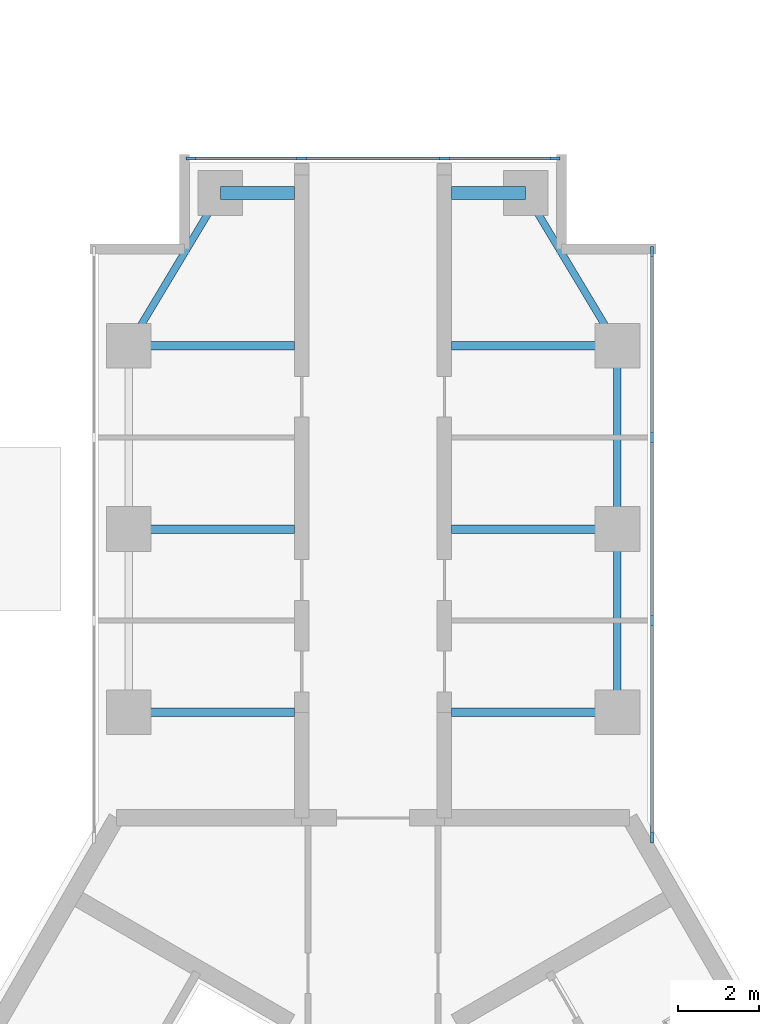
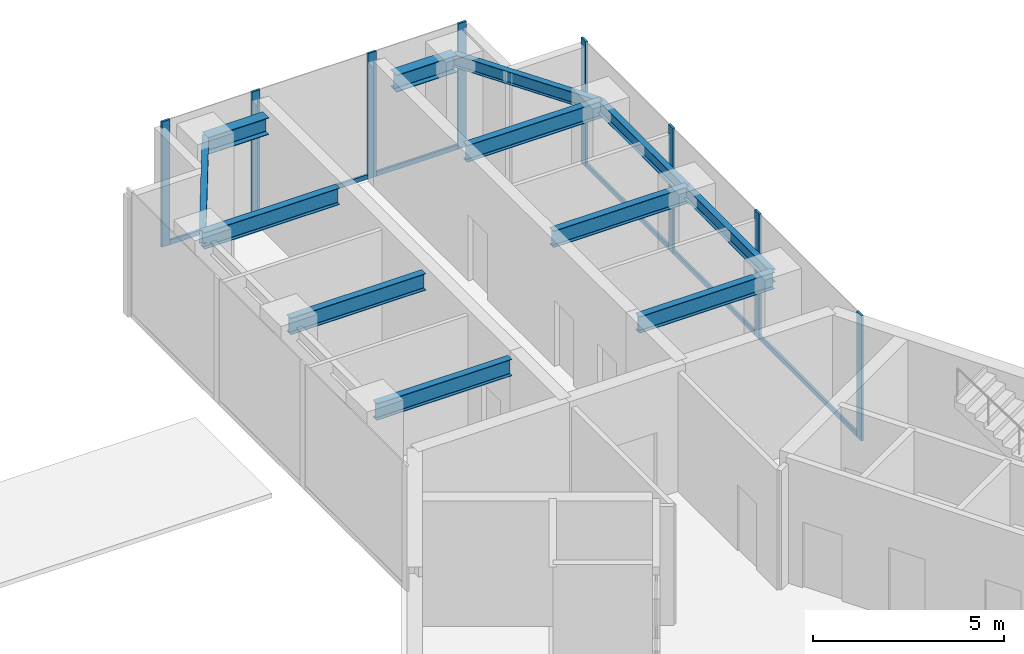
# One storey, part 3 of 11: 14 members, 12 beams, 2 elements without a shape of their own.
"""IFC4 building model written with IfcOpenShell, lengths in metres."""

from ifc_helpers import new_model, si_unit, direction, frame, origin, origin_2d, place, context, subcontext, project, spatial, rectangle, i_section, extrude, material, material_profile, profile_set, type_object, element, aggregate, save


model = new_model("IFC4")

# Units and contexts
model_context = context("Model", 3, precision=1e-05, world=origin(), true_north=direction((0.0, 1.0)))
body_context = subcontext(model_context, "Body", "Model", "MODEL_VIEW")
ifc_project = project(units=[si_unit("LENGTHUNIT", "METRE"), si_unit("AREAUNIT", "SQUARE_METRE"), si_unit("VOLUMEUNIT", "CUBIC_METRE"), si_unit("PLANEANGLEUNIT", "RADIAN"), si_unit("MASSUNIT", "GRAM", prefix="KILO")], contexts=[model_context])

# Site, building, storey
site_placement = place(None, origin())
site = spatial("IfcSite", under=ifc_project, at=site_placement, CompositionType="ELEMENT")
building_placement = place(site_placement, origin())
building = spatial("IfcBuilding", under=site, at=building_placement, Name="Upepo Twin Towers", CompositionType="ELEMENT")
storey_placement = place(building_placement, frame((0.0, 0.0, 243.5)))
storey = spatial("IfcBuildingStorey", under=building, at=storey_placement, Name="L59", CompositionType="ELEMENT", Elevation=243.5)

# Beams
ifc_material_1 = material(Name="Steel S355", Category="steel")
ifc_material_profile_1 = material_profile(ifc_material_1, i_section(OverallWidth=0.177978515625, OverallDepth=0.406494140625, WebThickness=0.0078125, FlangeThickness=0.0126953125, FilletRadius=0.01025390625, at=origin_2d()), Name="UB 406x178x60")
ifc_profile_set_1 = profile_set([ifc_material_profile_1], Name="Steel S355")
beam_type_1 = type_object("IfcBeamType", Name="Beam UB 406x178x60", PredefinedType="BEAM", material=ifc_profile_set_1)
beam_1_placement = place(storey_placement, frame((52.5, 4.5, 3.5966796875), z_axis=(0.514495755428, 0.857492925713, 0.0), x_axis=(-0.857492925713, 0.514495755428, 0.0)))
element("IfcBeam", 1, at=beam_1_placement, inside=storey, type_object=beam_type_1, Name="T2 nose edge beam AL", PredefinedType="BEAM", context=body_context, shape_type="SweptSolid", body=[
    extrude(i_section(OverallWidth=0.177978515625, OverallDepth=0.406494140625, WebThickness=0.0078125, FlangeThickness=0.0126953125, FilletRadius=0.01025390625, at=origin_2d()), origin(), (0.0, 0.0, 1.0), 4.373291015625),
])
for number, where, z_axis, x_axis, name in (
    (2, (64.5, -4.5, 3.5966796875), (0.0, 1.0, 0.0), (-1.0, 0.0, 0.0), "T2 edge beam AR 13.5-18.0"),
    (3, (64.5, 0.0, 3.5966796875), (0.0, 1.0, 0.0), (-1.0, 0.0, 0.0), "T2 edge beam AR 18.0-22.5"),
):
    element("IfcBeam", number, at=place(storey_placement, frame(where, z_axis=z_axis, x_axis=x_axis)), inside=storey, type_object=beam_type_1, Name=name, PredefinedType="BEAM", context=body_context, shape_type="SweptSolid", body=[
        extrude(i_section(OverallWidth=0.177978515625, OverallDepth=0.406494140625, WebThickness=0.0078125, FlangeThickness=0.0126953125, FilletRadius=0.01025390625, at=origin_2d()), origin(), (0.0, 0.0, 1.0), 4.5),
    ])
beam_2_placement = place(storey_placement, frame((64.5, 4.5, 3.5966796875), z_axis=(-0.514495755428, 0.857492925713, 0.0), x_axis=(-0.857492925713, -0.514495755428, 0.0)))
element("IfcBeam", 4, at=beam_2_placement, inside=storey, type_object=beam_type_1, Name="T2 nose edge beam AR", PredefinedType="BEAM", context=body_context, shape_type="SweptSolid", body=[
    extrude(i_section(OverallWidth=0.177978515625, OverallDepth=0.406494140625, WebThickness=0.0078125, FlangeThickness=0.0126953125, FilletRadius=0.01025390625, at=origin_2d()), origin(), (0.0, 0.0, 1.0), 4.373291015625),
])
ifc_material_2 = material(Name="Steel S355", Category="steel")
ifc_material_profile_2 = material_profile(ifc_material_2, i_section(OverallWidth=0.209228515625, OverallDepth=0.533203125, WebThickness=0.010009765625, FlangeThickness=0.015625, FilletRadius=0.0126953125, at=origin_2d()), Name="UB 533x210x92")
ifc_profile_set_2 = profile_set([ifc_material_profile_2], Name="Steel S355")
beam_type_2 = type_object("IfcBeamType", Name="Beam UB 533x210x92", PredefinedType="BEAM", material=ifc_profile_set_2)
for number, where, z_axis, x_axis, name in (
    (5, (52.5, -4.5, 3.533447265625), (1.0, 0.0, 0.0), (0.0, 1.0, 0.0), "T2 girder AL at 13.5"),
    (6, (52.5, 0.0, 3.533447265625), (1.0, 0.0, 0.0), (0.0, 1.0, 0.0), "T2 girder AL at 18.0"),
    (7, (52.5, 4.5, 3.533447265625), (1.0, 0.0, 0.0), (0.0, 1.0, 0.0), "T2 girder AL at 22.5"),
    (8, (64.5, -4.5, 3.533447265625), (-1.0, 0.0, 0.0), (0.0, -1.0, 0.0), "T2 girder AR at 13.5"),
    (9, (64.5, 0.0, 3.533447265625), (-1.0, 0.0, 0.0), (0.0, -1.0, 0.0), "T2 girder AR at 18.0"),
    (10, (64.5, 4.5, 3.533447265625), (-1.0, 0.0, 0.0), (0.0, -1.0, 0.0), "T2 girder AR at 22.5"),
):
    element("IfcBeam", number, at=place(storey_placement, frame(where, z_axis=z_axis, x_axis=x_axis)), inside=storey, type_object=beam_type_2, Name=name, PredefinedType="BEAM", context=body_context, shape_type="SweptSolid", body=[
        extrude(i_section(OverallWidth=0.209228515625, OverallDepth=0.533203125, WebThickness=0.010009765625, FlangeThickness=0.015625, FilletRadius=0.0126953125, at=origin_2d()), origin(), (0.0, 0.0, 1.0), 4.074951171875),
    ])
ifc_material_3 = material(Name="Steel S355", Category="steel")
ifc_material_profile_3 = material_profile(ifc_material_3, i_section(OverallWidth=0.31201171875, OverallDepth=0.54345703125, WebThickness=0.0126953125, FlangeThickness=0.020263671875, FilletRadius=0.0126953125, at=origin_2d()), Name="UB 533x312x150")
ifc_profile_set_3 = profile_set([ifc_material_profile_3], Name="Steel S355")
beam_type_3 = type_object("IfcBeamType", Name="Beam UB 533x312x150", PredefinedType="BEAM", material=ifc_profile_set_3)
for number, where, z_axis, x_axis, name in (
    (11, (54.75, 8.25, 3.5283203125), (1.0, 0.0, 0.0), (0.0, 1.0, 0.0), "T2 nose beam AL"),
    (12, (62.25, 8.25, 3.5283203125), (-1.0, 0.0, 0.0), (0.0, -1.0, 0.0), "T2 nose beam AR"),
):
    element("IfcBeam", number, at=place(storey_placement, frame(where, z_axis=z_axis, x_axis=x_axis)), inside=storey, type_object=beam_type_3, Name=name, PredefinedType="BEAM", context=body_context, shape_type="SweptSolid", body=[
        extrude(i_section(OverallWidth=0.31201171875, OverallDepth=0.54345703125, WebThickness=0.0126953125, FlangeThickness=0.020263671875, FilletRadius=0.0126953125, at=origin_2d()), origin(), (0.0, 0.0, 1.0), 1.824951171875),
    ])

# Curtain wall, members
ifc_material_4 = material(Name="Aluminium and fritted glass", Category="aluminium")
curtain_wall_type = type_object("IfcCurtainWallType", Name="Tower curtain wall TW4, fritted glass", PredefinedType="NOTDEFINED", material=ifc_material_4)
curtain_wall_1_placement = place(storey_placement, origin())
curtain_wall_1 = element("IfcCurtainWall", 13, at=curtain_wall_1_placement, inside=storey, type_object=curtain_wall_type, Name="T2 L59 wing A flank R curtain wall", PredefinedType="NOTDEFINED")
ifc_material_5 = material(Name="Aluminium mullion", Category="aluminium")
ifc_material_profile_4 = material_profile(ifc_material_5, rectangle(XDim=0.06494140625, YDim=0.25, at=origin_2d()), Name="MULLION 65x250")
ifc_profile_set_4 = profile_set([ifc_material_profile_4], Name="Aluminium mullion")
member_type_1 = type_object("IfcMemberType", Name="Mullion 65x250 TW4", PredefinedType="MULLION", material=ifc_profile_set_4)
member_1_placement = place(storey_placement, frame((65.35009765625, 6.8173828125, 0.0), z_axis=(0.0, 0.0, 1.0), x_axis=(1.0, 0.0, 0.0)))
member_1 = element("IfcMember", 14, at=member_1_placement, type_object=member_type_1, Name="T2 L59 wing A flank R curtain wall mullion 1", PredefinedType="MULLION", context=body_context, shape_type="SweptSolid", body=[
    extrude(rectangle(XDim=0.06494140625, YDim=0.25, at=origin_2d()), origin(), (0.0, 0.0, 1.0), 4.0),
])
member_2_placement = place(storey_placement, frame((65.35009765625, 2.25, 0.0), z_axis=(0.0, 0.0, 1.0), x_axis=(1.0, 0.0, 0.0)))
member_2 = element("IfcMember", 15, at=member_2_placement, type_object=member_type_1, Name="T2 L59 wing A flank R curtain wall mullion 2", PredefinedType="MULLION", context=body_context, shape_type="SweptSolid", body=[
    extrude(rectangle(XDim=0.06494140625, YDim=0.25, at=origin_2d()), origin(), (0.0, 0.0, 1.0), 4.0),
])
member_3_placement = place(storey_placement, frame((65.35009765625, -2.25, 0.0), z_axis=(0.0, 0.0, 1.0), x_axis=(1.0, 0.0, 0.0)))
member_3 = element("IfcMember", 16, at=member_3_placement, type_object=member_type_1, Name="T2 L59 wing A flank R curtain wall mullion 3", PredefinedType="MULLION", context=body_context, shape_type="SweptSolid", body=[
    extrude(rectangle(XDim=0.06494140625, YDim=0.25, at=origin_2d()), origin(), (0.0, 0.0, 1.0), 4.0),
])
member_4_placement = place(storey_placement, frame((65.35009765625, -7.580322265625, 0.0), z_axis=(0.0, 0.0, 1.0), x_axis=(1.0, 0.0, 0.0)))
member_4 = element("IfcMember", 17, at=member_4_placement, type_object=member_type_1, Name="T2 L59 wing A flank R curtain wall mullion 4", PredefinedType="MULLION", context=body_context, shape_type="SweptSolid", body=[
    extrude(rectangle(XDim=0.06494140625, YDim=0.25, at=origin_2d()), origin(), (0.0, 0.0, 1.0), 4.0),
])

curtain_wall_2_placement = place(storey_placement, origin())
curtain_wall_2 = element("IfcCurtainWall", 18, at=curtain_wall_2_placement, inside=storey, type_object=curtain_wall_type, Name="T2 L59 wing A nose curtain wall", PredefinedType="NOTDEFINED")
member_5_placement = place(storey_placement, frame((62.967529296875, 9.10009765625, 0.0), z_axis=(0.0, 0.0, 1.0), x_axis=(0.0, -1.0, 0.0)))
member_5 = element("IfcMember", 19, at=member_5_placement, type_object=member_type_1, Name="T2 L59 wing A nose curtain wall mullion 1", PredefinedType="MULLION", context=body_context, shape_type="SweptSolid", body=[
    extrude(rectangle(XDim=0.06494140625, YDim=0.25, at=origin_2d()), origin(), (0.0, 0.0, 1.0), 4.0),
])
member_6_placement = place(storey_placement, frame((60.25, 9.10009765625, 0.0), z_axis=(0.0, 0.0, 1.0), x_axis=(0.0, -1.0, 0.0)))
member_6 = element("IfcMember", 20, at=member_6_placement, type_object=member_type_1, Name="T2 L59 wing A nose curtain wall mullion 2", PredefinedType="MULLION", context=body_context, shape_type="SweptSolid", body=[
    extrude(rectangle(XDim=0.06494140625, YDim=0.25, at=origin_2d()), origin(), (0.0, 0.0, 1.0), 4.0),
])
member_7_placement = place(storey_placement, frame((56.75, 9.10009765625, 0.0), z_axis=(0.0, 0.0, 1.0), x_axis=(0.0, -1.0, 0.0)))
member_7 = element("IfcMember", 21, at=member_7_placement, type_object=member_type_1, Name="T2 L59 wing A nose curtain wall mullion 3", PredefinedType="MULLION", context=body_context, shape_type="SweptSolid", body=[
    extrude(rectangle(XDim=0.06494140625, YDim=0.25, at=origin_2d()), origin(), (0.0, 0.0, 1.0), 4.0),
])
member_8_placement = place(storey_placement, frame((54.032470703125, 9.10009765625, 0.0), z_axis=(0.0, 0.0, 1.0), x_axis=(0.0, -1.0, 0.0)))
member_8 = element("IfcMember", 22, at=member_8_placement, type_object=member_type_1, Name="T2 L59 wing A nose curtain wall mullion 4", PredefinedType="MULLION", context=body_context, shape_type="SweptSolid", body=[
    extrude(rectangle(XDim=0.06494140625, YDim=0.25, at=origin_2d()), origin(), (0.0, 0.0, 1.0), 4.0),
])

# Member
ifc_material_6 = material(Name="Aluminium transom", Category="aluminium")
ifc_material_profile_5 = material_profile(ifc_material_6, rectangle(XDim=0.06494140625, YDim=0.14990234375, at=origin_2d()), Name="TRANSOM 65x150")
ifc_profile_set_5 = profile_set([ifc_material_profile_5], Name="Aluminium transom")
member_type_2 = type_object("IfcMemberType", Name="Transom 65x150 TW4", PredefinedType="USERDEFINED", material=ifc_profile_set_5)
member_9_placement = place(storey_placement, frame((65.35009765625, 6.784912109375, 0.074951171875), z_axis=(0.0, -1.0, 0.0), x_axis=(1.0, 0.0, 0.0)))
member_9 = element("IfcMember", 23, at=member_9_placement, type_object=member_type_2, Name="T2 L59 wing A flank R curtain wall transom 1", ObjectType="TRANSOM", PredefinedType="USERDEFINED", context=body_context, shape_type="SweptSolid", body=[
    extrude(rectangle(XDim=0.06494140625, YDim=0.14990234375, at=origin_2d()), origin(), (0.0, 0.0, 1.0), 4.50244140625),
])

member_10_placement = place(storey_placement, frame((65.35009765625, 2.217529296875, 0.074951171875), z_axis=(0.0, -1.0, 0.0), x_axis=(1.0, 0.0, 0.0)))
member_10 = element("IfcMember", 24, at=member_10_placement, type_object=member_type_2, Name="T2 L59 wing A flank R curtain wall transom 2", ObjectType="TRANSOM", PredefinedType="USERDEFINED", context=body_context, shape_type="SweptSolid", body=[
    extrude(rectangle(XDim=0.06494140625, YDim=0.14990234375, at=origin_2d()), origin(), (0.0, 0.0, 1.0), 4.43505859375),
])

member_11_placement = place(storey_placement, frame((65.35009765625, -2.282470703125, 0.074951171875), z_axis=(0.0, -1.0, 0.0), x_axis=(1.0, 0.0, 0.0)))
member_11 = element("IfcMember", 25, at=member_11_placement, type_object=member_type_2, Name="T2 L59 wing A flank R curtain wall transom 3", ObjectType="TRANSOM", PredefinedType="USERDEFINED", context=body_context, shape_type="SweptSolid", body=[
    extrude(rectangle(XDim=0.06494140625, YDim=0.14990234375, at=origin_2d()), origin(), (0.0, 0.0, 1.0), 5.265380859375),
])

aggregate(curtain_wall_1, [member_1, member_2, member_3, member_4, member_9, member_10, member_11])

member_12_placement = place(storey_placement, frame((62.93505859375, 9.10009765625, 0.074951171875), z_axis=(-1.0, 0.0, 0.0), x_axis=(0.0, -1.0, 0.0)))
member_12 = element("IfcMember", 26, at=member_12_placement, type_object=member_type_2, Name="T2 L59 wing A nose curtain wall transom 1", ObjectType="TRANSOM", PredefinedType="USERDEFINED", context=body_context, shape_type="SweptSolid", body=[
    extrude(rectangle(XDim=0.06494140625, YDim=0.14990234375, at=origin_2d()), origin(), (0.0, 0.0, 1.0), 2.652587890625),
])

member_13_placement = place(storey_placement, frame((60.217529296875, 9.10009765625, 0.074951171875), z_axis=(-1.0, 0.0, 0.0), x_axis=(0.0, -1.0, 0.0)))
member_13 = element("IfcMember", 27, at=member_13_placement, type_object=member_type_2, Name="T2 L59 wing A nose curtain wall transom 2", ObjectType="TRANSOM", PredefinedType="USERDEFINED", context=body_context, shape_type="SweptSolid", body=[
    extrude(rectangle(XDim=0.06494140625, YDim=0.14990234375, at=origin_2d()), origin(), (0.0, 0.0, 1.0), 3.43505859375),
])

member_14_placement = place(storey_placement, frame((56.717529296875, 9.10009765625, 0.074951171875), z_axis=(-1.0, 0.0, 0.0), x_axis=(0.0, -1.0, 0.0)))
member_14 = element("IfcMember", 28, at=member_14_placement, type_object=member_type_2, Name="T2 L59 wing A nose curtain wall transom 3", ObjectType="TRANSOM", PredefinedType="USERDEFINED", context=body_context, shape_type="SweptSolid", body=[
    extrude(rectangle(XDim=0.06494140625, YDim=0.14990234375, at=origin_2d()), origin(), (0.0, 0.0, 1.0), 2.652587890625),
])

aggregate(curtain_wall_2, [member_5, member_6, member_7, member_8, member_12, member_13, member_14])

save(model, "model.ifc")
